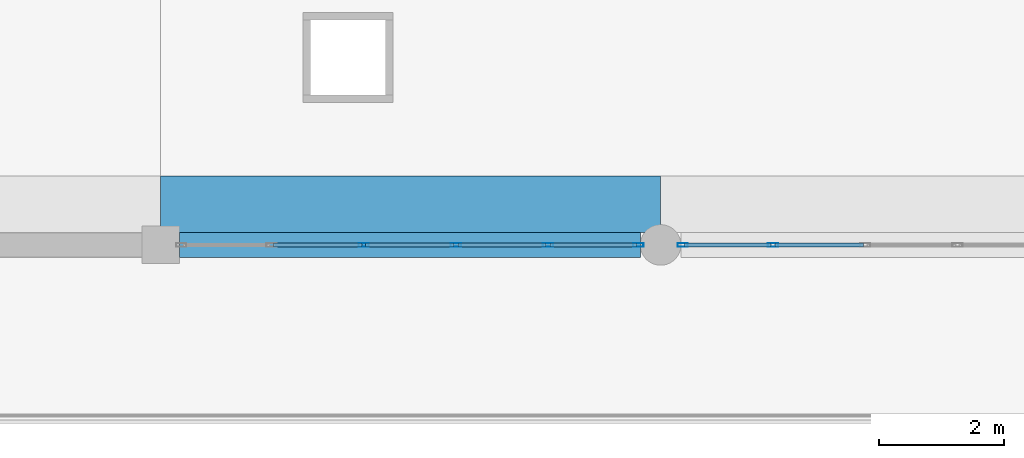
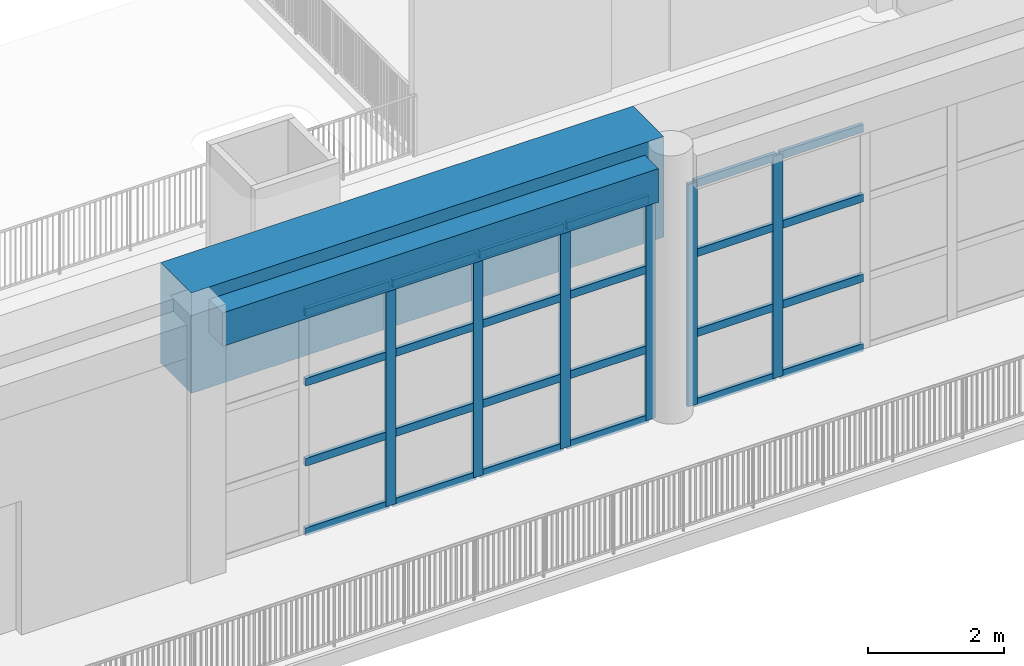
# One storey, part 13 of 32: 30 members, 2 beams, 2 elements without a shape of their own.
"""IFC4 building model written with IfcOpenShell, lengths in metres."""

from ifc_helpers import new_model, si_unit, direction, frame, origin, origin_2d, place, context, subcontext, project, spatial, rectangle, hollow_rectangle, extrude, material, material_profile, profile_set, type_object, element, aggregate, save


model = new_model("IFC4")

# Units and contexts
model_context = context("Model", 3, precision=1e-05, world=origin(), true_north=direction((0.0, 1.0)))
body_context = subcontext(model_context, "Body", "Model", "MODEL_VIEW")
ifc_project = project(units=[si_unit("LENGTHUNIT", "METRE"), si_unit("AREAUNIT", "SQUARE_METRE"), si_unit("VOLUMEUNIT", "CUBIC_METRE"), si_unit("PLANEANGLEUNIT", "RADIAN"), si_unit("MASSUNIT", "GRAM", prefix="KILO")], contexts=[model_context])

# Site, building, storey
site_placement = place(None, origin())
site = spatial("IfcSite", under=ifc_project, at=site_placement, CompositionType="ELEMENT")
building_placement = place(site_placement, origin())
building = spatial("IfcBuilding", under=site, at=building_placement, Name="Zantavel Square City Hall", CompositionType="ELEMENT")
storey_placement = place(building_placement, frame((0.0, 0.0, 23.699951171875)))
storey = spatial("IfcBuildingStorey", under=building, at=storey_placement, Name="L06", CompositionType="ELEMENT", Elevation=23.699951171875)

# Curtain wall, members
ifc_material_1 = material(Name="Anodised aluminium 6063-T6", Category="aluminium")
curtain_wall_type = type_object("IfcCurtainWallType", Name="Curtain Wall TRV1 7375x3980", PredefinedType="USERDEFINED", material=ifc_material_1)
curtain_wall_1_placement = place(storey_placement, origin())
curtain_wall_1 = element("IfcCurtainWall", 1, at=curtain_wall_1_placement, inside=storey, type_object=curtain_wall_type, Name="L06 Glazed Curtain Wall CW-L06-154", ObjectType="GLAZED CURTAIN WALL", PredefinedType="USERDEFINED")
ifc_material_profile_1 = material_profile(ifc_material_1, hollow_rectangle(XDim=0.06005859375, YDim=0.1650390625, WallThickness=0.00390625, at=origin_2d()), Name="ALU 60x165x4")
ifc_profile_set_1 = profile_set([ifc_material_profile_1], Name="Anodised aluminium 6063-T6")
member_type_1 = type_object("IfcMemberType", Name="CW Council Gallery Mullion ALU 60x165x4", PredefinedType="MULLION", material=ifc_profile_set_1)
member_1_placement = place(storey_placement, frame((97.800048828125, 30.39990234375, 0.0), z_axis=(0.0, 0.0, 1.0), x_axis=(0.0, -1.0, 0.0)))
member_1 = element("IfcMember", 2, at=member_1_placement, type_object=member_type_1, Name="CW-154 mullion 5", PredefinedType="MULLION", context=body_context, shape_type="SweptSolid", body=[
    extrude(hollow_rectangle(XDim=0.06005859375, YDim=0.1650390625, WallThickness=0.00390625, at=origin_2d()), origin(), (0.0, 0.0, 1.0), 3.97998046875),
])
member_2_placement = place(storey_placement, frame((96.35498046875, 30.39990234375, 0.0), z_axis=(0.0, 0.0, 1.0), x_axis=(0.0, -1.0, 0.0)))
member_2 = element("IfcMember", 3, at=member_2_placement, type_object=member_type_1, Name="CW-154 mullion 6", PredefinedType="MULLION", context=body_context, shape_type="SweptSolid", body=[
    extrude(hollow_rectangle(XDim=0.06005859375, YDim=0.1650390625, WallThickness=0.00390625, at=origin_2d()), origin(), (0.0, 0.0, 1.0), 3.97998046875),
])

curtain_wall_2_placement = place(storey_placement, origin())
curtain_wall_2 = element("IfcCurtainWall", 4, at=curtain_wall_2_placement, inside=storey, type_object=curtain_wall_type, Name="L06 Glazed Curtain Wall CW-L06-155", ObjectType="GLAZED CURTAIN WALL", PredefinedType="USERDEFINED")
member_3_placement = place(storey_placement, frame((95.64501953125, 30.39990234375, 0.0), z_axis=(0.0, 0.0, 1.0), x_axis=(0.0, -1.0, 0.0)))
member_3 = element("IfcMember", 5, at=member_3_placement, type_object=member_type_1, Name="CW-155 mullion 1", PredefinedType="MULLION", context=body_context, shape_type="SweptSolid", body=[
    extrude(hollow_rectangle(XDim=0.06005859375, YDim=0.1650390625, WallThickness=0.00390625, at=origin_2d()), origin(), (0.0, 0.0, 1.0), 3.97998046875),
])
member_4_placement = place(storey_placement, frame((94.199951171875, 30.39990234375, 0.0), z_axis=(0.0, 0.0, 1.0), x_axis=(0.0, -1.0, 0.0)))
member_4 = element("IfcMember", 6, at=member_4_placement, type_object=member_type_1, Name="CW-155 mullion 2", PredefinedType="MULLION", context=body_context, shape_type="SweptSolid", body=[
    extrude(hollow_rectangle(XDim=0.06005859375, YDim=0.1650390625, WallThickness=0.00390625, at=origin_2d()), origin(), (0.0, 0.0, 1.0), 3.97998046875),
])
member_5_placement = place(storey_placement, frame((92.72509765625, 30.39990234375, 0.0), z_axis=(0.0, 0.0, 1.0), x_axis=(0.0, -1.0, 0.0)))
member_5 = element("IfcMember", 7, at=member_5_placement, type_object=member_type_1, Name="CW-155 mullion 3", PredefinedType="MULLION", context=body_context, shape_type="SweptSolid", body=[
    extrude(hollow_rectangle(XDim=0.06005859375, YDim=0.1650390625, WallThickness=0.00390625, at=origin_2d()), origin(), (0.0, 0.0, 1.0), 3.97998046875),
])
member_6_placement = place(storey_placement, frame((91.25, 30.39990234375, 0.0), z_axis=(0.0, 0.0, 1.0), x_axis=(0.0, -1.0, 0.0)))
member_6 = element("IfcMember", 8, at=member_6_placement, type_object=member_type_1, Name="CW-155 mullion 4", PredefinedType="MULLION", context=body_context, shape_type="SweptSolid", body=[
    extrude(hollow_rectangle(XDim=0.06005859375, YDim=0.1650390625, WallThickness=0.00390625, at=origin_2d()), origin(), (0.0, 0.0, 1.0), 3.97998046875),
])

# Member
ifc_material_profile_2 = material_profile(ifc_material_1, hollow_rectangle(XDim=0.06005859375, YDim=0.139892578125, WallThickness=0.00390625, at=origin_2d()), Name="ALU 60x140x4")
ifc_profile_set_2 = profile_set([ifc_material_profile_2], Name="Anodised aluminium 6063-T6")
member_type_2 = type_object("IfcMemberType", Name="CW Transom ALU 60x140x4", PredefinedType="USERDEFINED", material=ifc_profile_set_2)
member_7_placement = place(storey_placement, frame((99.2451171875, 30.39990234375, 0.030029296875), z_axis=(-1.0, 0.0, 0.0), x_axis=(0.0, -1.0, 0.0)))
member_7 = element("IfcMember", 9, at=member_7_placement, type_object=member_type_2, Name="CW-154 transom 4.1", ObjectType="TRANSOM", PredefinedType="USERDEFINED", context=body_context, shape_type="SweptSolid", body=[
    extrude(hollow_rectangle(XDim=0.06005859375, YDim=0.139892578125, WallThickness=0.00390625, at=origin_2d()), origin(), (0.0, 0.0, 1.0), 1.4150390625),
])

member_8_placement = place(storey_placement, frame((99.2451171875, 30.39990234375, 1.274169921875), z_axis=(-1.0, 0.0, 0.0), x_axis=(0.0, -1.0, 0.0)))
member_8 = element("IfcMember", 10, at=member_8_placement, type_object=member_type_2, Name="CW-154 transom 4.2", ObjectType="TRANSOM", PredefinedType="USERDEFINED", context=body_context, shape_type="SweptSolid", body=[
    extrude(hollow_rectangle(XDim=0.06005859375, YDim=0.139892578125, WallThickness=0.00390625, at=origin_2d()), origin(), (0.0, 0.0, 1.0), 1.4150390625),
])

member_9_placement = place(storey_placement, frame((99.2451171875, 30.39990234375, 2.7060546875), z_axis=(-1.0, 0.0, 0.0), x_axis=(0.0, -1.0, 0.0)))
member_9 = element("IfcMember", 11, at=member_9_placement, type_object=member_type_2, Name="CW-154 transom 4.3", ObjectType="TRANSOM", PredefinedType="USERDEFINED", context=body_context, shape_type="SweptSolid", body=[
    extrude(hollow_rectangle(XDim=0.06005859375, YDim=0.139892578125, WallThickness=0.00390625, at=origin_2d()), origin(), (0.0, 0.0, 1.0), 1.4150390625),
])

member_10_placement = place(storey_placement, frame((99.2451171875, 30.39990234375, 3.949951171875), z_axis=(-1.0, 0.0, 0.0), x_axis=(0.0, -1.0, 0.0)))
member_10 = element("IfcMember", 12, at=member_10_placement, type_object=member_type_2, Name="CW-154 transom 4.4", ObjectType="TRANSOM", PredefinedType="USERDEFINED", context=body_context, shape_type="SweptSolid", body=[
    extrude(hollow_rectangle(XDim=0.06005859375, YDim=0.139892578125, WallThickness=0.00390625, at=origin_2d()), origin(), (0.0, 0.0, 1.0), 1.4150390625),
])

member_11_placement = place(storey_placement, frame((97.77001953125, 30.39990234375, 0.030029296875), z_axis=(-1.0, 0.0, 0.0), x_axis=(0.0, -1.0, 0.0)))
member_11 = element("IfcMember", 13, at=member_11_placement, type_object=member_type_2, Name="CW-154 transom 5.1", ObjectType="TRANSOM", PredefinedType="USERDEFINED", context=body_context, shape_type="SweptSolid", body=[
    extrude(hollow_rectangle(XDim=0.06005859375, YDim=0.139892578125, WallThickness=0.00390625, at=origin_2d()), origin(), (0.0, 0.0, 1.0), 1.385009765625),
])

member_12_placement = place(storey_placement, frame((97.77001953125, 30.39990234375, 1.274169921875), z_axis=(-1.0, 0.0, 0.0), x_axis=(0.0, -1.0, 0.0)))
member_12 = element("IfcMember", 14, at=member_12_placement, type_object=member_type_2, Name="CW-154 transom 5.2", ObjectType="TRANSOM", PredefinedType="USERDEFINED", context=body_context, shape_type="SweptSolid", body=[
    extrude(hollow_rectangle(XDim=0.06005859375, YDim=0.139892578125, WallThickness=0.00390625, at=origin_2d()), origin(), (0.0, 0.0, 1.0), 1.385009765625),
])

member_13_placement = place(storey_placement, frame((97.77001953125, 30.39990234375, 2.7060546875), z_axis=(-1.0, 0.0, 0.0), x_axis=(0.0, -1.0, 0.0)))
member_13 = element("IfcMember", 15, at=member_13_placement, type_object=member_type_2, Name="CW-154 transom 5.3", ObjectType="TRANSOM", PredefinedType="USERDEFINED", context=body_context, shape_type="SweptSolid", body=[
    extrude(hollow_rectangle(XDim=0.06005859375, YDim=0.139892578125, WallThickness=0.00390625, at=origin_2d()), origin(), (0.0, 0.0, 1.0), 1.385009765625),
])

member_14_placement = place(storey_placement, frame((97.77001953125, 30.39990234375, 3.949951171875), z_axis=(-1.0, 0.0, 0.0), x_axis=(0.0, -1.0, 0.0)))
member_14 = element("IfcMember", 16, at=member_14_placement, type_object=member_type_2, Name="CW-154 transom 5.4", ObjectType="TRANSOM", PredefinedType="USERDEFINED", context=body_context, shape_type="SweptSolid", body=[
    extrude(hollow_rectangle(XDim=0.06005859375, YDim=0.139892578125, WallThickness=0.00390625, at=origin_2d()), origin(), (0.0, 0.0, 1.0), 1.385009765625),
])

aggregate(curtain_wall_1, [member_1, member_2, member_7, member_8, member_9, member_10, member_11, member_12, member_13, member_14])

member_15_placement = place(storey_placement, frame((95.614990234375, 30.39990234375, 0.030029296875), z_axis=(-1.0, 0.0, 0.0), x_axis=(0.0, -1.0, 0.0)))
member_15 = element("IfcMember", 17, at=member_15_placement, type_object=member_type_2, Name="CW-155 transom 1.1", ObjectType="TRANSOM", PredefinedType="USERDEFINED", context=body_context, shape_type="SweptSolid", body=[
    extrude(hollow_rectangle(XDim=0.06005859375, YDim=0.139892578125, WallThickness=0.00390625, at=origin_2d()), origin(), (0.0, 0.0, 1.0), 1.385009765625),
])

member_16_placement = place(storey_placement, frame((95.614990234375, 30.39990234375, 1.274169921875), z_axis=(-1.0, 0.0, 0.0), x_axis=(0.0, -1.0, 0.0)))
member_16 = element("IfcMember", 18, at=member_16_placement, type_object=member_type_2, Name="CW-155 transom 1.2", ObjectType="TRANSOM", PredefinedType="USERDEFINED", context=body_context, shape_type="SweptSolid", body=[
    extrude(hollow_rectangle(XDim=0.06005859375, YDim=0.139892578125, WallThickness=0.00390625, at=origin_2d()), origin(), (0.0, 0.0, 1.0), 1.385009765625),
])

member_17_placement = place(storey_placement, frame((95.614990234375, 30.39990234375, 2.7060546875), z_axis=(-1.0, 0.0, 0.0), x_axis=(0.0, -1.0, 0.0)))
member_17 = element("IfcMember", 19, at=member_17_placement, type_object=member_type_2, Name="CW-155 transom 1.3", ObjectType="TRANSOM", PredefinedType="USERDEFINED", context=body_context, shape_type="SweptSolid", body=[
    extrude(hollow_rectangle(XDim=0.06005859375, YDim=0.139892578125, WallThickness=0.00390625, at=origin_2d()), origin(), (0.0, 0.0, 1.0), 1.385009765625),
])

member_18_placement = place(storey_placement, frame((95.614990234375, 30.39990234375, 3.949951171875), z_axis=(-1.0, 0.0, 0.0), x_axis=(0.0, -1.0, 0.0)))
member_18 = element("IfcMember", 20, at=member_18_placement, type_object=member_type_2, Name="CW-155 transom 1.4", ObjectType="TRANSOM", PredefinedType="USERDEFINED", context=body_context, shape_type="SweptSolid", body=[
    extrude(hollow_rectangle(XDim=0.06005859375, YDim=0.139892578125, WallThickness=0.00390625, at=origin_2d()), origin(), (0.0, 0.0, 1.0), 1.385009765625),
])

member_19_placement = place(storey_placement, frame((94.169921875, 30.39990234375, 0.030029296875), z_axis=(-1.0, 0.0, 0.0), x_axis=(0.0, -1.0, 0.0)))
member_19 = element("IfcMember", 21, at=member_19_placement, type_object=member_type_2, Name="CW-155 transom 2.1", ObjectType="TRANSOM", PredefinedType="USERDEFINED", context=body_context, shape_type="SweptSolid", body=[
    extrude(hollow_rectangle(XDim=0.06005859375, YDim=0.139892578125, WallThickness=0.00390625, at=origin_2d()), origin(), (0.0, 0.0, 1.0), 1.4150390625),
])

member_20_placement = place(storey_placement, frame((94.169921875, 30.39990234375, 1.274169921875), z_axis=(-1.0, 0.0, 0.0), x_axis=(0.0, -1.0, 0.0)))
member_20 = element("IfcMember", 22, at=member_20_placement, type_object=member_type_2, Name="CW-155 transom 2.2", ObjectType="TRANSOM", PredefinedType="USERDEFINED", context=body_context, shape_type="SweptSolid", body=[
    extrude(hollow_rectangle(XDim=0.06005859375, YDim=0.139892578125, WallThickness=0.00390625, at=origin_2d()), origin(), (0.0, 0.0, 1.0), 1.4150390625),
])

member_21_placement = place(storey_placement, frame((94.169921875, 30.39990234375, 2.7060546875), z_axis=(-1.0, 0.0, 0.0), x_axis=(0.0, -1.0, 0.0)))
member_21 = element("IfcMember", 23, at=member_21_placement, type_object=member_type_2, Name="CW-155 transom 2.3", ObjectType="TRANSOM", PredefinedType="USERDEFINED", context=body_context, shape_type="SweptSolid", body=[
    extrude(hollow_rectangle(XDim=0.06005859375, YDim=0.139892578125, WallThickness=0.00390625, at=origin_2d()), origin(), (0.0, 0.0, 1.0), 1.4150390625),
])

member_22_placement = place(storey_placement, frame((94.169921875, 30.39990234375, 3.949951171875), z_axis=(-1.0, 0.0, 0.0), x_axis=(0.0, -1.0, 0.0)))
member_22 = element("IfcMember", 24, at=member_22_placement, type_object=member_type_2, Name="CW-155 transom 2.4", ObjectType="TRANSOM", PredefinedType="USERDEFINED", context=body_context, shape_type="SweptSolid", body=[
    extrude(hollow_rectangle(XDim=0.06005859375, YDim=0.139892578125, WallThickness=0.00390625, at=origin_2d()), origin(), (0.0, 0.0, 1.0), 1.4150390625),
])

member_23_placement = place(storey_placement, frame((92.695068359375, 30.39990234375, 0.030029296875), z_axis=(-1.0, 0.0, 0.0), x_axis=(0.0, -1.0, 0.0)))
member_23 = element("IfcMember", 25, at=member_23_placement, type_object=member_type_2, Name="CW-155 transom 3.1", ObjectType="TRANSOM", PredefinedType="USERDEFINED", context=body_context, shape_type="SweptSolid", body=[
    extrude(hollow_rectangle(XDim=0.06005859375, YDim=0.139892578125, WallThickness=0.00390625, at=origin_2d()), origin(), (0.0, 0.0, 1.0), 1.4150390625),
])

member_24_placement = place(storey_placement, frame((92.695068359375, 30.39990234375, 1.274169921875), z_axis=(-1.0, 0.0, 0.0), x_axis=(0.0, -1.0, 0.0)))
member_24 = element("IfcMember", 26, at=member_24_placement, type_object=member_type_2, Name="CW-155 transom 3.2", ObjectType="TRANSOM", PredefinedType="USERDEFINED", context=body_context, shape_type="SweptSolid", body=[
    extrude(hollow_rectangle(XDim=0.06005859375, YDim=0.139892578125, WallThickness=0.00390625, at=origin_2d()), origin(), (0.0, 0.0, 1.0), 1.4150390625),
])

member_25_placement = place(storey_placement, frame((92.695068359375, 30.39990234375, 2.7060546875), z_axis=(-1.0, 0.0, 0.0), x_axis=(0.0, -1.0, 0.0)))
member_25 = element("IfcMember", 27, at=member_25_placement, type_object=member_type_2, Name="CW-155 transom 3.3", ObjectType="TRANSOM", PredefinedType="USERDEFINED", context=body_context, shape_type="SweptSolid", body=[
    extrude(hollow_rectangle(XDim=0.06005859375, YDim=0.139892578125, WallThickness=0.00390625, at=origin_2d()), origin(), (0.0, 0.0, 1.0), 1.4150390625),
])

member_26_placement = place(storey_placement, frame((92.695068359375, 30.39990234375, 3.949951171875), z_axis=(-1.0, 0.0, 0.0), x_axis=(0.0, -1.0, 0.0)))
member_26 = element("IfcMember", 28, at=member_26_placement, type_object=member_type_2, Name="CW-155 transom 3.4", ObjectType="TRANSOM", PredefinedType="USERDEFINED", context=body_context, shape_type="SweptSolid", body=[
    extrude(hollow_rectangle(XDim=0.06005859375, YDim=0.139892578125, WallThickness=0.00390625, at=origin_2d()), origin(), (0.0, 0.0, 1.0), 1.4150390625),
])

member_27_placement = place(storey_placement, frame((91.219970703125, 30.39990234375, 0.030029296875), z_axis=(-1.0, 0.0, 0.0), x_axis=(0.0, -1.0, 0.0)))
member_27 = element("IfcMember", 29, at=member_27_placement, type_object=member_type_2, Name="CW-155 transom 4.1", ObjectType="TRANSOM", PredefinedType="USERDEFINED", context=body_context, shape_type="SweptSolid", body=[
    extrude(hollow_rectangle(XDim=0.06005859375, YDim=0.139892578125, WallThickness=0.00390625, at=origin_2d()), origin(), (0.0, 0.0, 1.0), 1.4150390625),
])

member_28_placement = place(storey_placement, frame((91.219970703125, 30.39990234375, 1.274169921875), z_axis=(-1.0, 0.0, 0.0), x_axis=(0.0, -1.0, 0.0)))
member_28 = element("IfcMember", 30, at=member_28_placement, type_object=member_type_2, Name="CW-155 transom 4.2", ObjectType="TRANSOM", PredefinedType="USERDEFINED", context=body_context, shape_type="SweptSolid", body=[
    extrude(hollow_rectangle(XDim=0.06005859375, YDim=0.139892578125, WallThickness=0.00390625, at=origin_2d()), origin(), (0.0, 0.0, 1.0), 1.4150390625),
])

member_29_placement = place(storey_placement, frame((91.219970703125, 30.39990234375, 2.7060546875), z_axis=(-1.0, 0.0, 0.0), x_axis=(0.0, -1.0, 0.0)))
member_29 = element("IfcMember", 31, at=member_29_placement, type_object=member_type_2, Name="CW-155 transom 4.3", ObjectType="TRANSOM", PredefinedType="USERDEFINED", context=body_context, shape_type="SweptSolid", body=[
    extrude(hollow_rectangle(XDim=0.06005859375, YDim=0.139892578125, WallThickness=0.00390625, at=origin_2d()), origin(), (0.0, 0.0, 1.0), 1.4150390625),
])

member_30_placement = place(storey_placement, frame((91.219970703125, 30.39990234375, 3.949951171875), z_axis=(-1.0, 0.0, 0.0), x_axis=(0.0, -1.0, 0.0)))
member_30 = element("IfcMember", 32, at=member_30_placement, type_object=member_type_2, Name="CW-155 transom 4.4", ObjectType="TRANSOM", PredefinedType="USERDEFINED", context=body_context, shape_type="SweptSolid", body=[
    extrude(hollow_rectangle(XDim=0.06005859375, YDim=0.139892578125, WallThickness=0.00390625, at=origin_2d()), origin(), (0.0, 0.0, 1.0), 1.4150390625),
])

aggregate(curtain_wall_2, [member_3, member_4, member_5, member_6, member_15, member_16, member_17, member_18, member_19, member_20, member_21, member_22, member_23, member_24, member_25, member_26, member_27, member_28, member_29, member_30])

# Beams
ifc_material_2 = material(Name="Concrete C35/45", Category="concrete")
ifc_material_profile_3 = material_profile(ifc_material_2, rectangle(XDim=0.39990234375, YDim=0.60009765625, at=origin_2d()), Name="RC 400x600")
ifc_profile_set_3 = profile_set([ifc_material_profile_3], Name="Concrete C35/45")
beam_type_1 = type_object("IfcBeamType", Name="Perimeter Spandrel RC 400x600 C35/45", PredefinedType="SPANDREL", material=ifc_profile_set_3)
beam_1_placement = place(storey_placement, frame((88.300048828125, 30.39990234375, 4.280029296875), z_axis=(1.0, 0.0, 0.0), x_axis=(0.0, 1.0, 0.0)))
element("IfcBeam", 33, at=beam_1_placement, inside=storey, type_object=beam_type_1, Name="L06 Girder BMX-L06-0880-0304", PredefinedType="SPANDREL", context=body_context, shape_type="SweptSolid", body=[
    extrude(rectangle(XDim=0.39990234375, YDim=0.60009765625, at=origin_2d()), origin(), (0.0, 0.0, 1.0), 7.375),
])
ifc_material_3 = material(Name="Concrete C40/50", Category="concrete")
ifc_material_profile_4 = material_profile(ifc_material_3, rectangle(XDim=0.89990234375, YDim=1.800048828125, at=origin_2d()), Name="RC 900x1800")
ifc_profile_set_4 = profile_set([ifc_material_profile_4], Name="Concrete C40/50")
beam_type_2 = type_object("IfcBeamType", Name="Transfer Girder RC 900x1800 C40/50", PredefinedType="BEAM", material=ifc_profile_set_4)
beam_2_placement = place(storey_placement, frame((88.0, 31.050048828125, 3.900146484375), z_axis=(1.0, 0.0, 0.0), x_axis=(0.0, 1.0, 0.0)))
element("IfcBeam", 34, at=beam_2_placement, inside=storey, type_object=beam_type_2, Name="Vault Thrust Transfer Girder S-4", PredefinedType="BEAM", context=body_context, shape_type="SweptSolid", body=[
    extrude(rectangle(XDim=0.89990234375, YDim=1.800048828125, at=origin_2d()), origin(), (0.0, 0.0, 1.0), 8.0),
])

save(model, "model.ifc")
